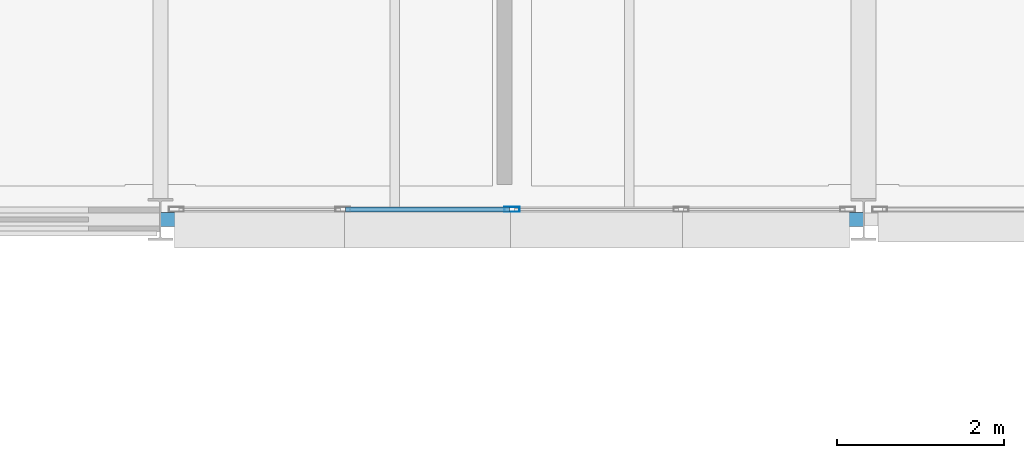
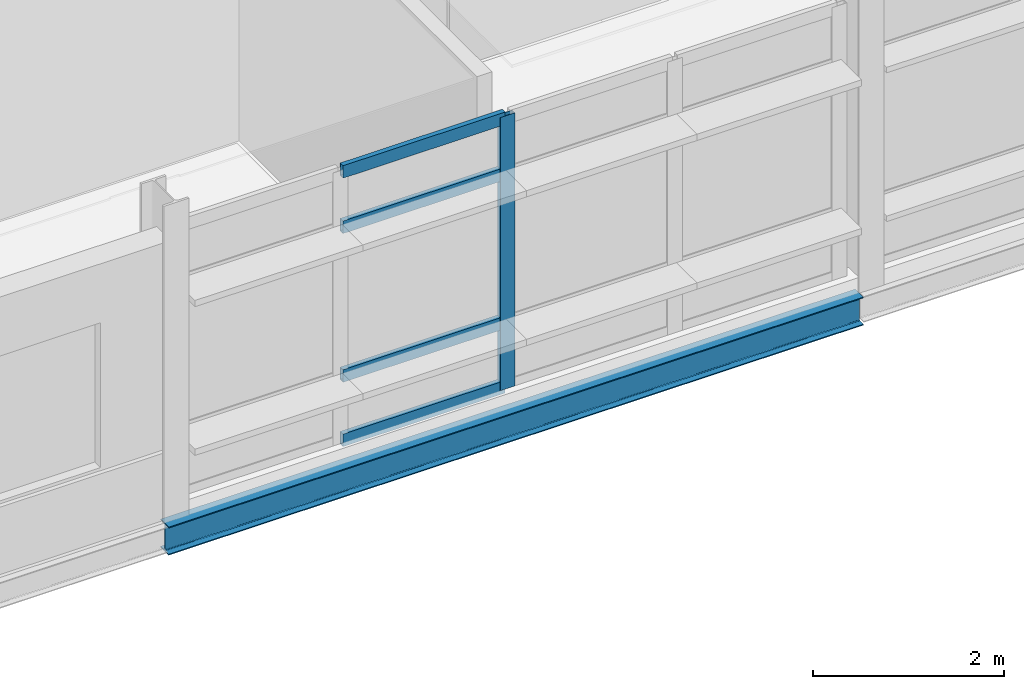
# One storey, part 70 of 151: 5 members, 1 beam, 1 element without a shape of its own.
"""IFC4 building model written with IfcOpenShell, lengths in metres."""

from ifc_helpers import new_model, si_unit, direction, frame, origin, origin_2d, place, context, subcontext, project, spatial, hollow_rectangle, i_section, extrude, material, material_profile, profile_set, type_object, element, aggregate, save


model = new_model("IFC4")

# Units and contexts
model_context = context("Model", 3, precision=1e-05, world=origin(), true_north=direction((0.0, 1.0)))
body_context = subcontext(model_context, "Body", "Model", "MODEL_VIEW")
ifc_project = project(units=[si_unit("LENGTHUNIT", "METRE"), si_unit("AREAUNIT", "SQUARE_METRE"), si_unit("VOLUMEUNIT", "CUBIC_METRE"), si_unit("PLANEANGLEUNIT", "RADIAN"), si_unit("MASSUNIT", "GRAM", prefix="KILO")], contexts=[model_context])

# Site, building, storey
site_placement = place(None, origin())
site = spatial("IfcSite", under=ifc_project, at=site_placement, CompositionType="ELEMENT")
building_placement = place(site_placement, origin())
building = spatial("IfcBuilding", under=site, at=building_placement, Name="Mersafa Astral City Hall", CompositionType="ELEMENT")
storey_placement = place(building_placement, frame((0.0, 0.0, 9.89990234375)))
storey = spatial("IfcBuildingStorey", under=building, at=storey_placement, Name="L02", CompositionType="ELEMENT", Elevation=9.89990234375)

# Curtain wall, members
ifc_material_1 = material(Name="Anodised bronze aluminium framing", Category="aluminium")
curtain_wall_type = type_object("IfcCurtainWallType", Name="ENV-CW-3", PredefinedType="USERDEFINED", material=ifc_material_1)
curtain_wall_placement = place(storey_placement, origin())
curtain_wall = element("IfcCurtainWall", 1, at=curtain_wall_placement, inside=storey, type_object=curtain_wall_type, Name="L02 Unitised solar curtain wall 140", ObjectType="UNITISED CURTAIN WALL", PredefinedType="USERDEFINED")
ifc_material_profile_1 = material_profile(ifc_material_1, hollow_rectangle(XDim=0.06005859375, YDim=0.179931640625, WallThickness=0.00390625, at=origin_2d()), Name="RHS 60x180x4")
ifc_profile_set_1 = profile_set([ifc_material_profile_1], Name="Anodised bronze aluminium framing")
member_type_1 = type_object("IfcMemberType", Name="ENV-CW-MUL-1", PredefinedType="MULLION", material=ifc_profile_set_1)
member_1_placement = place(storey_placement, frame((88.199951171875, 117.719970703125, -0.001953125), z_axis=(0.0, 0.0, 1.0), x_axis=(0.0, 1.0, 0.0)))
member_1 = element("IfcMember", 2, at=member_1_placement, type_object=member_type_1, Name="CW-3 mullion 3", PredefinedType="MULLION", context=body_context, shape_type="SweptSolid", body=[
    extrude(hollow_rectangle(XDim=0.06005859375, YDim=0.179931640625, WallThickness=0.00390625, at=origin_2d()), origin(), (0.0, 0.0, 1.0), 3.489013671875),
])
ifc_material_profile_2 = material_profile(ifc_material_1, hollow_rectangle(XDim=0.06005859375, YDim=0.159912109375, WallThickness=0.00390625, at=origin_2d()), Name="RHS 60x160x4")
ifc_profile_set_2 = profile_set([ifc_material_profile_2], Name="Anodised bronze aluminium framing")
member_type_2 = type_object("IfcMemberType", Name="ENV-CW-TRN-2", PredefinedType="USERDEFINED", material=ifc_profile_set_2)
member_2_placement = place(storey_placement, frame((86.2109375, 117.719970703125, 0.028076171875), z_axis=(1.0, 0.0, 0.0), x_axis=(0.0, 1.0, 0.0)))
member_2 = element("IfcMember", 3, at=member_2_placement, type_object=member_type_2, Name="CW-3 transom 2.1", ObjectType="TRANSOM", PredefinedType="USERDEFINED", context=body_context, shape_type="SweptSolid", body=[
    extrude(hollow_rectangle(XDim=0.06005859375, YDim=0.159912109375, WallThickness=0.00390625, at=origin_2d()), origin(), (0.0, 0.0, 1.0), 1.958984375),
])
member_3_placement = place(storey_placement, frame((86.2109375, 117.719970703125, 0.85009765625), z_axis=(1.0, 0.0, 0.0), x_axis=(0.0, 1.0, 0.0)))
member_3 = element("IfcMember", 4, at=member_3_placement, type_object=member_type_2, Name="CW-3 transom 2.2", ObjectType="TRANSOM", PredefinedType="USERDEFINED", context=body_context, shape_type="SweptSolid", body=[
    extrude(hollow_rectangle(XDim=0.06005859375, YDim=0.159912109375, WallThickness=0.00390625, at=origin_2d()), origin(), (0.0, 0.0, 1.0), 1.958984375),
])
member_4_placement = place(storey_placement, frame((86.2109375, 117.719970703125, 2.75), z_axis=(1.0, 0.0, 0.0), x_axis=(0.0, 1.0, 0.0)))
member_4 = element("IfcMember", 5, at=member_4_placement, type_object=member_type_2, Name="CW-3 transom 2.3", ObjectType="TRANSOM", PredefinedType="USERDEFINED", context=body_context, shape_type="SweptSolid", body=[
    extrude(hollow_rectangle(XDim=0.06005859375, YDim=0.159912109375, WallThickness=0.00390625, at=origin_2d()), origin(), (0.0, 0.0, 1.0), 1.958984375),
])
member_5_placement = place(storey_placement, frame((86.2109375, 117.719970703125, 3.45703125), z_axis=(1.0, 0.0, 0.0), x_axis=(0.0, 1.0, 0.0)))
member_5 = element("IfcMember", 6, at=member_5_placement, type_object=member_type_2, Name="CW-3 transom 2.4", ObjectType="TRANSOM", PredefinedType="USERDEFINED", context=body_context, shape_type="SweptSolid", body=[
    extrude(hollow_rectangle(XDim=0.06005859375, YDim=0.159912109375, WallThickness=0.00390625, at=origin_2d()), origin(), (0.0, 0.0, 1.0), 1.958984375),
])
aggregate(curtain_wall, [member_1, member_2, member_3, member_4, member_5])

# Beam
ifc_material_2 = material(Name="Steel S355", Category="steel")
ifc_material_profile_3 = material_profile(ifc_material_2, i_section(OverallWidth=0.169921875, OverallDepth=0.360107421875, WebThickness=0.008056640625, FlangeThickness=0.0126953125, FilletRadius=0.01806640625, at=origin_2d()), Name="IPE 360")
ifc_profile_set_3 = profile_set([ifc_material_profile_3], Name="Steel S355")
beam_type = type_object("IfcBeamType", Name="STR-BM-SPANDREL-IPE360", PredefinedType="SPANDREL", material=ifc_profile_set_3)
beam_placement = place(storey_placement, frame((84.0029296875, 117.60009765625, -0.3798828125), z_axis=(1.0, 0.0, 0.0), x_axis=(0.0, 1.0, 0.0)))
element("IfcBeam", 7, at=beam_placement, inside=storey, type_object=beam_type, Name="L02 Primary girder X 10-14", PredefinedType="SPANDREL", context=body_context, shape_type="SweptSolid", body=[
    extrude(i_section(OverallWidth=0.169921875, OverallDepth=0.360107421875, WebThickness=0.008056640625, FlangeThickness=0.0126953125, FilletRadius=0.01806640625, at=origin_2d()), origin(), (0.0, 0.0, 1.0), 8.39404296875),
])

save(model, "model.ifc")
